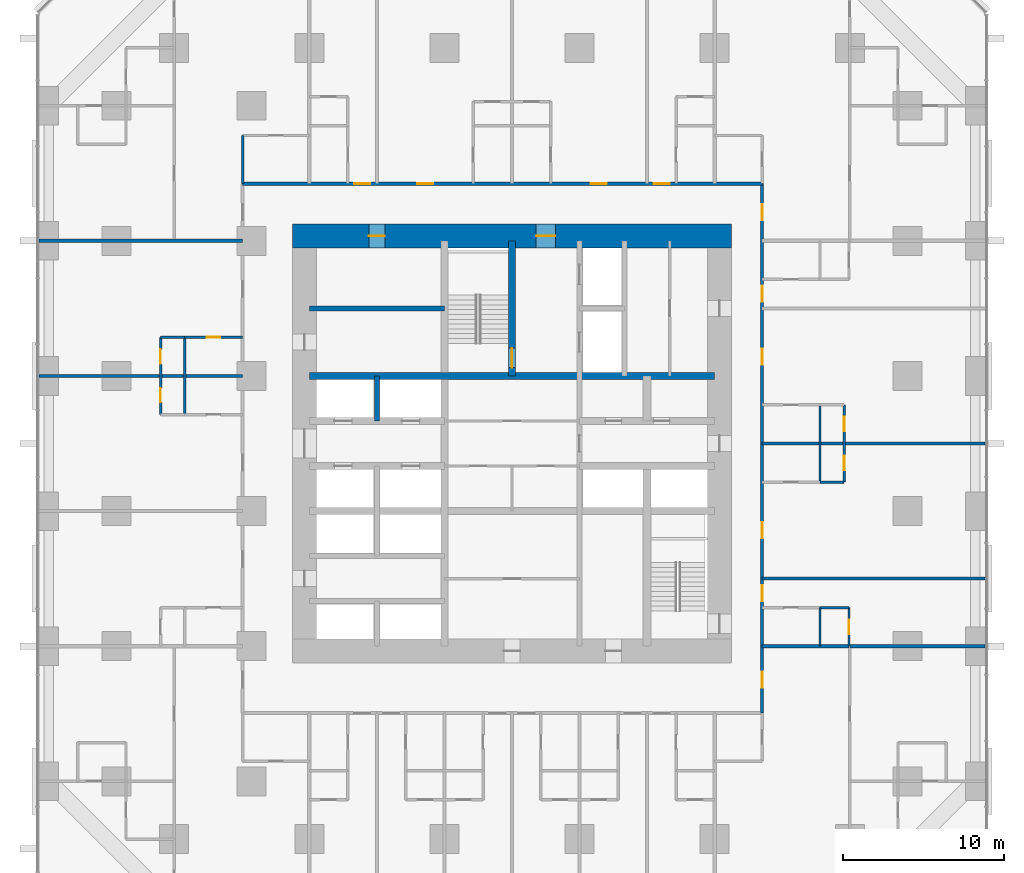
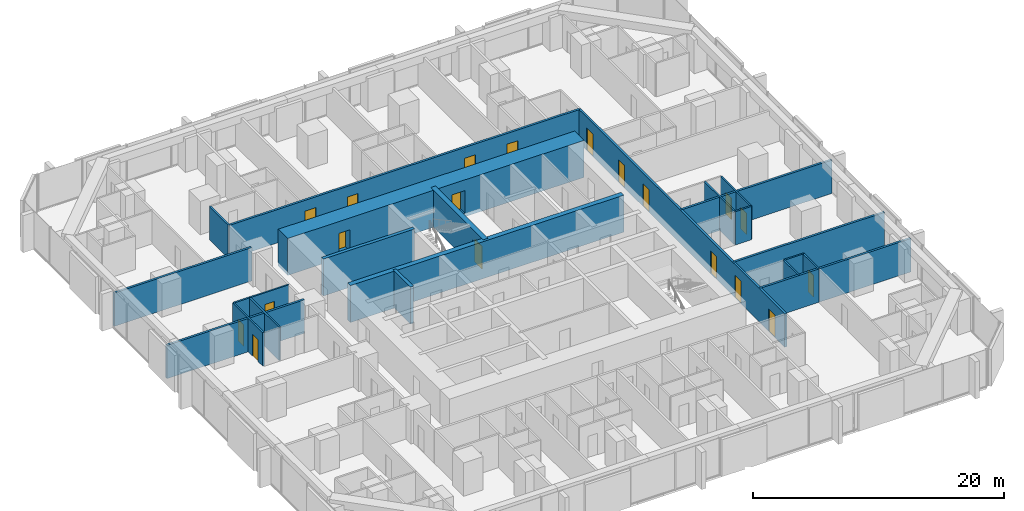
# One storey, part 14 of 17: 24 walls, 19 doors, 19 openings.
"""IFC4 building model written with IfcOpenShell, lengths in metres."""

from ifc_helpers import new_model, si_unit, direction, frame, frame_2d, origin, place, context, subcontext, project, spatial, rectangle, extrude, material, layer, layer_set, type_object, element, fill, save


model = new_model("IFC4")

# Units and contexts
model_context = context("Model", 3, precision=1e-05, world=origin(), true_north=direction((0.0, 1.0)))
body_context = subcontext(model_context, "Body", "Model", "MODEL_VIEW")
ifc_project = project(units=[si_unit("LENGTHUNIT", "METRE"), si_unit("AREAUNIT", "SQUARE_METRE"), si_unit("VOLUMEUNIT", "CUBIC_METRE"), si_unit("PLANEANGLEUNIT", "RADIAN"), si_unit("MASSUNIT", "GRAM", prefix="KILO")], contexts=[model_context])

# Site, building, storey
site_placement = place(None, origin())
site = spatial("IfcSite", under=ifc_project, at=site_placement, CompositionType="ELEMENT")
building_placement = place(site_placement, origin())
building = spatial("IfcBuilding", under=site, at=building_placement, Name="Dunama Terrace Hotel", CompositionType="ELEMENT")
storey_placement = place(building_placement, frame((0.0, 0.0, 70.199951171875)))
storey = spatial("IfcBuildingStorey", under=building, at=storey_placement, Name="L17", CompositionType="ELEMENT", Elevation=70.199951171875)

# Wall
ifc_material_1 = material(Name="Gypsum board partition", Category="masonry")
ifc_layer_1 = layer(ifc_material_1, 0.14990234375)
ifc_layer_set_1 = layer_set([ifc_layer_1], Name="Bathroom partition 150")
wall_type_1 = type_object("IfcWallType", Name="Bathroom partition 150", PredefinedType="PARTITIONING", material=ifc_layer_set_1)
wall_1_placement = place(storey_placement, frame((12.64990234375, 45.550048828125, 0.0), z_axis=(0.0, 0.0, 1.0), x_axis=(0.0, 1.0, 0.0)))
element("IfcWall", 1, at=wall_1_placement, inside=storey, type_object=wall_type_1, Name="Bathroom partition 150 L17", PredefinedType="PARTITIONING", context=body_context, shape_type="SweptSolid", body=[
    extrude(rectangle(XDim=3.0, YDim=0.14990234375, at=frame_2d((1.5, 0.0))), origin(), (0.0, 0.0, 1.0), 3.25),
])

# Wall, opening, door
wall_2_placement = place(storey_placement, frame((9.050048828125, 36.0, 0.0), z_axis=(0.0, 0.0, 1.0), x_axis=(1.0, 0.0, 0.0)))
wall_2 = element("IfcWall", 2, at=wall_2_placement, inside=storey, type_object=wall_type_1, Name="Bathroom partition 150 L17", PredefinedType="PARTITIONING", context=body_context, shape_type="SweptSolid", body=[
    extrude(rectangle(XDim=3.599853515625, YDim=0.14990234375, at=frame_2d((1.7998046875, 0.0))), origin(), (0.0, 0.0, 1.0), 3.25),
])
opening_1_placement = place(wall_2_placement, frame((1.375, 0.0, 0.0)))
opening_1 = element("IfcOpeningElement", 3, at=opening_1_placement, cuts=wall_2, Name="Opening L17-19-058", PredefinedType="OPENING", context=body_context, shape_type="SweptSolid", body=[
    extrude(rectangle(XDim=0.85009765625, YDim=2.10009765625, at=frame_2d((0.425048828125, 1.050048828125))), frame((0.0, 0.0849609375, 0.0), z_axis=(0.0, -1.0, 0.0), x_axis=(1.0, 0.0, 0.0)), (0.0, 0.0, 1.0), 0.169921875),
])
ifc_material_2 = material(Name="Timber door with steel frame", Category="steel")
door_type_1 = type_object("IfcDoorType", Name="Bathroom door 850", OperationType="SINGLE_SWING_LEFT", PredefinedType="DOOR", material=ifc_material_2)
door_1_placement = place(opening_1_placement, frame((0.85009765625, 0.0, 0.0), z_axis=(0.0, 0.0, 1.0), x_axis=(-1.0, 0.0, 0.0)))
door_1 = element("IfcDoor", 4, at=door_1_placement, inside=storey, type_object=door_type_1, Name="Door to en-suite bathroom L17-19-058, type D2", OperationType="SINGLE_SWING_LEFT", OverallHeight=2.10009765625, OverallWidth=0.85009765625, PredefinedType="DOOR", context=body_context, shape_type="SweptSolid", body=[
    extrude(rectangle(XDim=0.85009765625, YDim=2.10009765625, at=frame_2d((0.425048828125, 1.050048828125))), frame((0.0, 0.025146484375, 0.0), z_axis=(0.0, -1.0, 0.0), x_axis=(1.0, 0.0, 0.0)), (0.0, 0.0, 1.0), 0.050048828125),
])
fill(opening_1, door_1)

# Walls
ifc_material_3 = material(Name="Concrete C50/60", Category="concrete")
ifc_layer_2 = layer(ifc_material_3, 0.300048828125)
ifc_layer_set_2 = layer_set([ifc_layer_2], Name="Core inner wall 300")
wall_type_2 = type_object("IfcWallType", Name="Core inner wall 300", PredefinedType="SHEAR", material=ifc_layer_set_2)
wall_3_placement = place(storey_placement, frame((21.0, 30.800048828125, -0.349853515625), z_axis=(0.0, 0.0, 1.0), x_axis=(0.0, 1.0, 0.0)))
element("IfcWall", 5, at=wall_3_placement, inside=storey, type_object=wall_type_2, Name="Core inner wall 300 L17", PredefinedType="SHEAR", context=body_context, shape_type="SweptSolid", body=[
    extrude(rectangle(XDim=2.800048828125, YDim=0.300048828125, at=frame_2d((1.39990234375, 0.0))), origin(), (0.0, 0.0, 1.0), 3.599853515625),
])
wall_4_placement = place(storey_placement, frame((16.800048828125, 37.800048828125, -0.349853515625), z_axis=(0.0, 0.0, 1.0), x_axis=(1.0, 0.0, 0.0)))
element("IfcWall", 6, at=wall_4_placement, inside=storey, type_object=wall_type_2, Name="Core inner wall 300 L17", PredefinedType="SHEAR", context=body_context, shape_type="SweptSolid", body=[
    extrude(rectangle(XDim=8.39990234375, YDim=0.300048828125, at=frame_2d((4.199951171875, 0.0))), origin(), (0.0, 0.0, 1.0), 3.599853515625),
])

# Wall, opening, door
ifc_material_4 = material(Name="Concrete C50/60", Category="concrete")
ifc_layer_3 = layer(ifc_material_4, 0.449951171875)
ifc_layer_set_3 = layer_set([ifc_layer_3], Name="Core inner wall 450")
wall_type_3 = type_object("IfcWallType", Name="Core inner wall 450", PredefinedType="SHEAR", material=ifc_layer_set_3)
wall_5_placement = place(storey_placement, frame((29.39990234375, 33.60009765625, -0.349853515625), z_axis=(0.0, 0.0, 1.0), x_axis=(0.0, 1.0, 0.0)))
wall_5 = element("IfcWall", 7, at=wall_5_placement, inside=storey, type_object=wall_type_3, Name="Core inner wall 450 L17", PredefinedType="SHEAR", context=body_context, shape_type="SweptSolid", body=[
    extrude(rectangle(XDim=8.39990234375, YDim=0.449951171875, at=frame_2d((4.199951171875, 0.0))), origin(), (0.0, 0.0, 1.0), 3.599853515625),
])
opening_2_placement = place(wall_5_placement, frame((0.52490234375, 0.0, 0.35009765625)))
opening_2 = element("IfcOpeningElement", 8, at=opening_2_placement, cuts=wall_5, Name="Opening L17-19-001", PredefinedType="OPENING", context=body_context, shape_type="SweptSolid", body=[
    extrude(rectangle(XDim=1.199951171875, YDim=2.199951171875, at=frame_2d((0.60009765625, 1.10009765625))), frame((0.0, 0.23486328125, 0.0), z_axis=(0.0, -1.0, 0.0), x_axis=(1.0, 0.0, 0.0)), (0.0, 0.0, 1.0), 0.469970703125),
])
ifc_material_5 = material(Name="Timber door with steel frame", Category="steel")
door_type_2 = type_object("IfcDoorType", Name="Stair door 1200", OperationType="SINGLE_SWING_LEFT", PredefinedType="DOOR", material=ifc_material_5)
door_2_placement = place(opening_2_placement, origin())
door_2 = element("IfcDoor", 9, at=door_2_placement, inside=storey, type_object=door_type_2, Name="Stair door ST1 L17-19-001, type D5", OperationType="SINGLE_SWING_LEFT", OverallHeight=2.199951171875, OverallWidth=1.199951171875, PredefinedType="DOOR", context=body_context, shape_type="SweptSolid", body=[
    extrude(rectangle(XDim=1.199951171875, YDim=2.199951171875, at=frame_2d((0.60009765625, 1.10009765625))), frame((0.0, 0.02490234375, 0.0), z_axis=(0.0, -1.0, 0.0), x_axis=(1.0, 0.0, 0.0)), (0.0, 0.0, 1.0), 0.050048828125),
])
fill(opening_2, door_2)

# Wall
wall_6_placement = place(storey_placement, frame((16.800048828125, 33.60009765625, -0.349853515625), z_axis=(0.0, 0.0, 1.0), x_axis=(1.0, 0.0, 0.0)))
element("IfcWall", 10, at=wall_6_placement, inside=storey, type_object=wall_type_3, Name="Core inner wall 450 L17", PredefinedType="SHEAR", context=body_context, shape_type="SweptSolid", body=[
    extrude(rectangle(XDim=25.199951171875, YDim=0.449951171875, at=frame_2d((12.60009765625, 0.0))), origin(), (0.0, 0.0, 1.0), 3.599853515625),
])

# Wall, openings, doors
ifc_material_6 = material(Name="Concrete C60/75", Category="concrete")
ifc_layer_4 = layer(ifc_material_6, 1.5)
ifc_layer_set_4 = layer_set([ifc_layer_4], Name="Core wall 1500")
wall_type_4 = type_object("IfcWallType", Name="Core wall 1500", PredefinedType="SHEAR", material=ifc_layer_set_4)
wall_7_placement = place(storey_placement, frame((43.050048828125, 42.300048828125, -0.349853515625), z_axis=(0.0, 0.0, 1.0), x_axis=(-1.0, 0.0, 0.0)))
wall_7 = element("IfcWall", 11, at=wall_7_placement, inside=storey, type_object=wall_type_4, Name="Core wall north L17", PredefinedType="SHEAR", context=body_context, shape_type="SweptSolid", body=[
    extrude(rectangle(XDim=27.300048828125, YDim=1.5, at=frame_2d((13.64990234375, 0.0))), origin(), (0.0, 0.0, 1.0), 3.599853515625),
])
opening_3_placement = place(wall_7_placement, frame((21.550048828125, 0.0, 0.35009765625)))
opening_3 = element("IfcOpeningElement", 12, at=opening_3_placement, cuts=wall_7, Name="Opening L17-19-087", PredefinedType="OPENING", context=body_context, shape_type="SweptSolid", body=[
    extrude(rectangle(XDim=1.0, YDim=2.10009765625, at=frame_2d((0.5, 1.050048828125))), frame((0.0, 0.760009765625, 0.0), z_axis=(0.0, -1.0, 0.0), x_axis=(1.0, 0.0, 0.0)), (0.0, 0.0, 1.0), 1.52001953125),
])
opening_4_placement = place(wall_7_placement, frame((10.949951171875, 0.0, 0.35009765625)))
opening_4 = element("IfcOpeningElement", 13, at=opening_4_placement, cuts=wall_7, Name="Opening L17-19-095", PredefinedType="OPENING", context=body_context, shape_type="SweptSolid", body=[
    extrude(rectangle(XDim=1.199951171875, YDim=2.199951171875, at=frame_2d((0.60009765625, 1.10009765625))), frame((0.0, 0.760009765625, 0.0), z_axis=(0.0, -1.0, 0.0), x_axis=(1.0, 0.0, 0.0)), (0.0, 0.0, 1.0), 1.52001953125),
])
ifc_material_7 = material(Name="Timber door with steel frame", Category="steel")
door_type_3 = type_object("IfcDoorType", Name="Firefighting lobby door 1200", OperationType="SINGLE_SWING_LEFT", PredefinedType="DOOR", material=ifc_material_7)
door_3_placement = place(opening_4_placement, origin())
door_3 = element("IfcDoor", 14, at=door_3_placement, inside=storey, type_object=door_type_3, Name="Door to firefighting lobby L17-19-095, type D4", OperationType="SINGLE_SWING_RIGHT", OverallHeight=2.199951171875, OverallWidth=1.199951171875, PredefinedType="DOOR", context=body_context, shape_type="SweptSolid", body=[
    extrude(rectangle(XDim=1.199951171875, YDim=2.199951171875, at=frame_2d((0.60009765625, 1.10009765625))), frame((0.0, 0.02490234375, 0.0), z_axis=(0.0, -1.0, 0.0), x_axis=(1.0, 0.0, 0.0)), (0.0, 0.0, 1.0), 0.050048828125),
])
fill(opening_4, door_3)
ifc_material_8 = material(Name="Timber door with steel frame", Category="steel")
door_type_4 = type_object("IfcDoorType", Name="Service door 1000", OperationType="SINGLE_SWING_LEFT", PredefinedType="DOOR", material=ifc_material_8)
door_4_placement = place(opening_3_placement, origin())
door_4 = element("IfcDoor", 15, at=door_4_placement, inside=storey, type_object=door_type_4, Name="Door to communications and riser room L17-19-087, type D7", OperationType="SINGLE_SWING_LEFT", OverallHeight=2.10009765625, OverallWidth=1.0, PredefinedType="DOOR", context=body_context, shape_type="SweptSolid", body=[
    extrude(rectangle(XDim=1.0, YDim=2.10009765625, at=frame_2d((0.5, 1.050048828125))), frame((0.0, 0.02490234375, 0.0), z_axis=(0.0, -1.0, 0.0), x_axis=(1.0, 0.0, 0.0)), (0.0, 0.0, 1.0), 0.050048828125),
])
fill(opening_3, door_4)

ifc_material_9 = material(Name="Concrete blockwork", Category="masonry")
ifc_layer_5 = layer(ifc_material_9, 0.199951171875)
ifc_layer_set_5 = layer_set([ifc_layer_5], Name="Corridor partition 200")
wall_type_5 = type_object("IfcWallType", Name="Corridor partition 200", PredefinedType="PARTITIONING", material=ifc_layer_set_5)
wall_8_placement = place(storey_placement, frame((12.64990234375, 45.550048828125, 0.0), z_axis=(0.0, 0.0, 1.0), x_axis=(1.0, 0.0, 0.0)))
wall_8 = element("IfcWall", 16, at=wall_8_placement, inside=storey, type_object=wall_type_5, Name="Corridor partition 200 L17", PredefinedType="PARTITIONING", context=body_context, shape_type="SweptSolid", body=[
    extrude(rectangle(XDim=32.300048828125, YDim=0.199951171875, at=frame_2d((16.14990234375, 0.0))), origin(), (0.0, 0.0, 1.0), 3.25),
])
opening_5_placement = place(wall_8_placement, frame((6.949951171875, 0.0, 0.0)))
opening_5 = element("IfcOpeningElement", 17, at=opening_5_placement, cuts=wall_8, Name="Opening L17-19-039", PredefinedType="OPENING", context=body_context, shape_type="SweptSolid", body=[
    extrude(rectangle(XDim=1.0, YDim=2.199951171875, at=frame_2d((0.5, 1.10009765625))), frame((0.0, 0.10986328125, 0.0), z_axis=(0.0, -1.0, 0.0), x_axis=(1.0, 0.0, 0.0)), (0.0, 0.0, 1.0), 0.219970703125),
])
opening_6_placement = place(wall_8_placement, frame((10.85009765625, 0.0, 0.0)))
opening_6 = element("IfcOpeningElement", 18, at=opening_6_placement, cuts=wall_8, Name="Opening L17-19-042", PredefinedType="OPENING", context=body_context, shape_type="SweptSolid", body=[
    extrude(rectangle(XDim=1.0, YDim=2.199951171875, at=frame_2d((0.5, 1.10009765625))), frame((0.0, 0.10986328125, 0.0), z_axis=(0.0, -1.0, 0.0), x_axis=(1.0, 0.0, 0.0)), (0.0, 0.0, 1.0), 0.219970703125),
])
opening_7_placement = place(wall_8_placement, frame((21.64990234375, 0.0, 0.0)))
opening_7 = element("IfcOpeningElement", 19, at=opening_7_placement, cuts=wall_8, Name="Opening L17-19-045", PredefinedType="OPENING", context=body_context, shape_type="SweptSolid", body=[
    extrude(rectangle(XDim=1.0, YDim=2.199951171875, at=frame_2d((0.5, 1.10009765625))), frame((0.0, 0.10986328125, 0.0), z_axis=(0.0, -1.0, 0.0), x_axis=(1.0, 0.0, 0.0)), (0.0, 0.0, 1.0), 0.219970703125),
])
opening_8_placement = place(wall_8_placement, frame((25.550048828125, 0.0, 0.0)))
opening_8 = element("IfcOpeningElement", 20, at=opening_8_placement, cuts=wall_8, Name="Opening L17-19-048", PredefinedType="OPENING", context=body_context, shape_type="SweptSolid", body=[
    extrude(rectangle(XDim=1.0, YDim=2.199951171875, at=frame_2d((0.5, 1.10009765625))), frame((0.0, 0.10986328125, 0.0), z_axis=(0.0, -1.0, 0.0), x_axis=(1.0, 0.0, 0.0)), (0.0, 0.0, 1.0), 0.219970703125),
])
ifc_material_10 = material(Name="Timber door with steel frame", Category="steel")
door_type_5 = type_object("IfcDoorType", Name="Guest room door 1000", OperationType="SINGLE_SWING_LEFT", PredefinedType="DOOR", material=ifc_material_10)
door_5_placement = place(opening_5_placement, origin())
door_5 = element("IfcDoor", 21, at=door_5_placement, inside=storey, type_object=door_type_5, Name="Door to deluxe room L17-19-039, type D1", OperationType="SINGLE_SWING_RIGHT", OverallHeight=2.199951171875, OverallWidth=1.0, PredefinedType="DOOR", context=body_context, shape_type="SweptSolid", body=[
    extrude(rectangle(XDim=1.0, YDim=2.199951171875, at=frame_2d((0.5, 1.10009765625))), frame((0.0, 0.02490234375, 0.0), z_axis=(0.0, -1.0, 0.0), x_axis=(1.0, 0.0, 0.0)), (0.0, 0.0, 1.0), 0.050048828125),
])
fill(opening_5, door_5)
door_6_placement = place(opening_6_placement, origin())
door_6 = element("IfcDoor", 22, at=door_6_placement, inside=storey, type_object=door_type_5, Name="Door to junior suite L17-19-042, type D1", OperationType="SINGLE_SWING_LEFT", OverallHeight=2.199951171875, OverallWidth=1.0, PredefinedType="DOOR", context=body_context, shape_type="SweptSolid", body=[
    extrude(rectangle(XDim=1.0, YDim=2.199951171875, at=frame_2d((0.5, 1.10009765625))), frame((0.0, 0.02490234375, 0.0), z_axis=(0.0, -1.0, 0.0), x_axis=(1.0, 0.0, 0.0)), (0.0, 0.0, 1.0), 0.050048828125),
])
fill(opening_6, door_6)
door_7_placement = place(opening_7_placement, origin())
door_7 = element("IfcDoor", 23, at=door_7_placement, inside=storey, type_object=door_type_5, Name="Door to junior suite L17-19-045, type D1", OperationType="SINGLE_SWING_RIGHT", OverallHeight=2.199951171875, OverallWidth=1.0, PredefinedType="DOOR", context=body_context, shape_type="SweptSolid", body=[
    extrude(rectangle(XDim=1.0, YDim=2.199951171875, at=frame_2d((0.5, 1.10009765625))), frame((0.0, 0.02490234375, 0.0), z_axis=(0.0, -1.0, 0.0), x_axis=(1.0, 0.0, 0.0)), (0.0, 0.0, 1.0), 0.050048828125),
])
fill(opening_7, door_7)
door_8_placement = place(opening_8_placement, origin())
door_8 = element("IfcDoor", 24, at=door_8_placement, inside=storey, type_object=door_type_5, Name="Door to deluxe room L17-19-048, type D1", OperationType="SINGLE_SWING_LEFT", OverallHeight=2.199951171875, OverallWidth=1.0, PredefinedType="DOOR", context=body_context, shape_type="SweptSolid", body=[
    extrude(rectangle(XDim=1.0, YDim=2.199951171875, at=frame_2d((0.5, 1.10009765625))), frame((0.0, 0.02490234375, 0.0), z_axis=(0.0, -1.0, 0.0), x_axis=(1.0, 0.0, 0.0)), (0.0, 0.0, 1.0), 0.050048828125),
])
fill(opening_8, door_8)

wall_9_placement = place(storey_placement, frame((44.949951171875, 45.550048828125, 0.0), z_axis=(0.0, 0.0, 1.0), x_axis=(0.0, -1.0, 0.0)))
wall_9 = element("IfcWall", 25, at=wall_9_placement, inside=storey, type_object=wall_type_5, Name="Corridor partition 200 L17", PredefinedType="PARTITIONING", context=body_context, shape_type="SweptSolid", body=[
    extrude(rectangle(XDim=32.900146484375, YDim=0.199951171875, at=frame_2d((16.4501953125, 0.0))), origin(), (0.0, 0.0, 1.0), 3.25),
])
opening_9_placement = place(wall_9_placement, frame((24.949951171875, 0.0, 0.0)))
opening_9 = element("IfcOpeningElement", 26, at=opening_9_placement, cuts=wall_9, Name="Opening L17-19-027", PredefinedType="OPENING", context=body_context, shape_type="SweptSolid", body=[
    extrude(rectangle(XDim=1.0, YDim=2.199951171875, at=frame_2d((0.5, 1.10009765625))), frame((0.0, 0.10986328125, 0.0), z_axis=(0.0, -1.0, 0.0), x_axis=(1.0, 0.0, 0.0)), (0.0, 0.0, 1.0), 0.219970703125),
])
opening_10_placement = place(wall_9_placement, frame((21.050048828125, 0.0, 0.0)))
opening_10 = element("IfcOpeningElement", 27, at=opening_10_placement, cuts=wall_9, Name="Opening L17-19-030", PredefinedType="OPENING", context=body_context, shape_type="SweptSolid", body=[
    extrude(rectangle(XDim=1.0, YDim=2.199951171875, at=frame_2d((0.5, 1.10009765625))), frame((0.0, 0.10986328125, 0.0), z_axis=(0.0, -1.0, 0.0), x_axis=(1.0, 0.0, 0.0)), (0.0, 0.0, 1.0), 0.219970703125),
])
opening_11_placement = place(wall_9_placement, frame((10.25, 0.0, 0.0)))
opening_11 = element("IfcOpeningElement", 28, at=opening_11_placement, cuts=wall_9, Name="Opening L17-19-033", PredefinedType="OPENING", context=body_context, shape_type="SweptSolid", body=[
    extrude(rectangle(XDim=1.0, YDim=2.199951171875, at=frame_2d((0.5, 1.10009765625))), frame((0.0, 0.10986328125, 0.0), z_axis=(0.0, -1.0, 0.0), x_axis=(1.0, 0.0, 0.0)), (0.0, 0.0, 1.0), 0.219970703125),
])
opening_12_placement = place(wall_9_placement, frame((6.35009765625, 0.0, 0.0)))
opening_12 = element("IfcOpeningElement", 29, at=opening_12_placement, cuts=wall_9, Name="Opening L17-19-036", PredefinedType="OPENING", context=body_context, shape_type="SweptSolid", body=[
    extrude(rectangle(XDim=1.0, YDim=2.199951171875, at=frame_2d((0.5, 1.10009765625))), frame((0.0, 0.10986328125, 0.0), z_axis=(0.0, -1.0, 0.0), x_axis=(1.0, 0.0, 0.0)), (0.0, 0.0, 1.0), 0.219970703125),
])
opening_13_placement = place(wall_9_placement, frame((30.324951171875, 0.0, 0.0)))
opening_13 = element("IfcOpeningElement", 30, at=opening_13_placement, cuts=wall_9, Name="Opening L17-19-066", PredefinedType="OPENING", context=body_context, shape_type="SweptSolid", body=[
    extrude(rectangle(XDim=1.0, YDim=2.199951171875, at=frame_2d((0.5, 1.10009765625))), frame((0.0, 0.10986328125, 0.0), z_axis=(0.0, -1.0, 0.0), x_axis=(1.0, 0.0, 0.0)), (0.0, 0.0, 1.0), 0.219970703125),
])
opening_14_placement = place(wall_9_placement, frame((1.27490234375, 0.0, 0.0)))
opening_14 = element("IfcOpeningElement", 31, at=opening_14_placement, cuts=wall_9, Name="Opening L17-19-072", PredefinedType="OPENING", context=body_context, shape_type="SweptSolid", body=[
    extrude(rectangle(XDim=1.0, YDim=2.199951171875, at=frame_2d((0.5, 1.10009765625))), frame((0.0, 0.10986328125, 0.0), z_axis=(0.0, -1.0, 0.0), x_axis=(1.0, 0.0, 0.0)), (0.0, 0.0, 1.0), 0.219970703125),
])
door_9_placement = place(opening_9_placement, origin())
door_9 = element("IfcDoor", 32, at=door_9_placement, inside=storey, type_object=door_type_5, Name="Door to deluxe room L17-19-027, type D1", OperationType="SINGLE_SWING_LEFT", OverallHeight=2.199951171875, OverallWidth=1.0, PredefinedType="DOOR", context=body_context, shape_type="SweptSolid", body=[
    extrude(rectangle(XDim=1.0, YDim=2.199951171875, at=frame_2d((0.5, 1.10009765625))), frame((0.0, 0.02490234375, 0.0), z_axis=(0.0, -1.0, 0.0), x_axis=(1.0, 0.0, 0.0)), (0.0, 0.0, 1.0), 0.050048828125),
])
fill(opening_9, door_9)
door_10_placement = place(opening_10_placement, origin())
door_10 = element("IfcDoor", 33, at=door_10_placement, inside=storey, type_object=door_type_5, Name="Door to junior suite L17-19-030, type D1", OperationType="SINGLE_SWING_LEFT", OverallHeight=2.199951171875, OverallWidth=1.0, PredefinedType="DOOR", context=body_context, shape_type="SweptSolid", body=[
    extrude(rectangle(XDim=1.0, YDim=2.199951171875, at=frame_2d((0.5, 1.10009765625))), frame((0.0, 0.02490234375, 0.0), z_axis=(0.0, -1.0, 0.0), x_axis=(1.0, 0.0, 0.0)), (0.0, 0.0, 1.0), 0.050048828125),
])
fill(opening_10, door_10)
door_11_placement = place(opening_11_placement, origin())
door_11 = element("IfcDoor", 34, at=door_11_placement, inside=storey, type_object=door_type_5, Name="Door to junior suite L17-19-033, type D1", OperationType="SINGLE_SWING_LEFT", OverallHeight=2.199951171875, OverallWidth=1.0, PredefinedType="DOOR", context=body_context, shape_type="SweptSolid", body=[
    extrude(rectangle(XDim=1.0, YDim=2.199951171875, at=frame_2d((0.5, 1.10009765625))), frame((0.0, 0.02490234375, 0.0), z_axis=(0.0, -1.0, 0.0), x_axis=(1.0, 0.0, 0.0)), (0.0, 0.0, 1.0), 0.050048828125),
])
fill(opening_11, door_11)
door_12_placement = place(opening_12_placement, origin())
door_12 = element("IfcDoor", 35, at=door_12_placement, inside=storey, type_object=door_type_5, Name="Door to deluxe room L17-19-036, type D1", OperationType="SINGLE_SWING_RIGHT", OverallHeight=2.199951171875, OverallWidth=1.0, PredefinedType="DOOR", context=body_context, shape_type="SweptSolid", body=[
    extrude(rectangle(XDim=1.0, YDim=2.199951171875, at=frame_2d((0.5, 1.10009765625))), frame((0.0, 0.02490234375, 0.0), z_axis=(0.0, -1.0, 0.0), x_axis=(1.0, 0.0, 0.0)), (0.0, 0.0, 1.0), 0.050048828125),
])
fill(opening_12, door_12)
door_13_placement = place(opening_13_placement, origin())
door_13 = element("IfcDoor", 36, at=door_13_placement, inside=storey, type_object=door_type_5, Name="Door to corner suite living room L17-19-066, type D1", OperationType="SINGLE_SWING_RIGHT", OverallHeight=2.199951171875, OverallWidth=1.0, PredefinedType="DOOR", context=body_context, shape_type="SweptSolid", body=[
    extrude(rectangle(XDim=1.0, YDim=2.199951171875, at=frame_2d((0.5, 1.10009765625))), frame((0.0, 0.02490234375, 0.0), z_axis=(0.0, -1.0, 0.0), x_axis=(1.0, 0.0, 0.0)), (0.0, 0.0, 1.0), 0.050048828125),
])
fill(opening_13, door_13)
door_14_placement = place(opening_14_placement, origin())
door_14 = element("IfcDoor", 37, at=door_14_placement, inside=storey, type_object=door_type_5, Name="Door to corner suite living room L17-19-072, type D1", OperationType="SINGLE_SWING_LEFT", OverallHeight=2.199951171875, OverallWidth=1.0, PredefinedType="DOOR", context=body_context, shape_type="SweptSolid", body=[
    extrude(rectangle(XDim=1.0, YDim=2.199951171875, at=frame_2d((0.5, 1.10009765625))), frame((0.0, 0.02490234375, 0.0), z_axis=(0.0, -1.0, 0.0), x_axis=(1.0, 0.0, 0.0)), (0.0, 0.0, 1.0), 0.050048828125),
])
fill(opening_14, door_14)

# Walls
ifc_material_11 = material(Name="Concrete blockwork", Category="masonry")
ifc_layer_6 = layer(ifc_material_11, 0.199951171875)
ifc_layer_set_6 = layer_set([ifc_layer_6], Name="Party wall 200")
wall_type_6 = type_object("IfcWallType", Name="Party wall 200", PredefinedType="PARTITIONING", material=ifc_layer_set_6)
wall_10_placement = place(storey_placement, frame((44.949951171875, 16.800048828125, 0.0), z_axis=(0.0, 0.0, 1.0), x_axis=(1.0, 0.0, 0.0)))
element("IfcWall", 38, at=wall_10_placement, inside=storey, type_object=wall_type_6, Name="Party wall 200 L17", PredefinedType="PARTITIONING", context=body_context, shape_type="SweptSolid", body=[
    extrude(rectangle(XDim=5.400146484375, YDim=0.199951171875, at=frame_2d((2.7001953125, 0.0))), origin(), (0.0, 0.0, 1.0), 3.25),
])
wall_11_placement = place(storey_placement, frame((50.39990234375, 16.800048828125, 0.0), z_axis=(0.0, 0.0, 1.0), x_axis=(1.0, 0.0, 0.0)))
element("IfcWall", 39, at=wall_11_placement, inside=storey, type_object=wall_type_6, Name="Party wall 200 L17", PredefinedType="PARTITIONING", context=body_context, shape_type="SweptSolid", body=[
    extrude(rectangle(XDim=8.408203125, YDim=0.199951171875, at=frame_2d((4.2041015625, 0.0))), origin(), (0.0, 0.0, 1.0), 3.25),
])
for number, where, z_axis, x_axis, name in (
    (40, (44.949951171875, 21.0, 0.0), (0.0, 0.0, 1.0), (1.0, 0.0, 0.0), "Party wall 200 L17"),
    (41, (44.949951171875, 29.39990234375, 0.0), (0.0, 0.0, 1.0), (1.0, 0.0, 0.0), "Party wall 200 L17"),
):
    element("IfcWall", number, at=place(storey_placement, frame(where, z_axis=z_axis, x_axis=x_axis)), inside=storey, type_object=wall_type_6, Name=name, PredefinedType="PARTITIONING", context=body_context, shape_type="SweptSolid", body=[
        extrude(rectangle(XDim=13.858154296875, YDim=0.199951171875, at=frame_2d((6.92919921875, 0.0))), origin(), (0.0, 0.0, 1.0), 3.25),
    ])
for number, where, z_axis, x_axis, name in (
    (42, (-0.008056640625, 33.60009765625, 0.0), (0.0, 0.0, 1.0), (1.0, 0.0, 0.0), "Party wall 200 L17"),
    (43, (-0.008056640625, 42.0, 0.0), (0.0, 0.0, 1.0), (1.0, 0.0, 0.0), "Party wall 200 L17"),
):
    element("IfcWall", number, at=place(storey_placement, frame(where, z_axis=z_axis, x_axis=x_axis)), inside=storey, type_object=wall_type_6, Name=name, PredefinedType="PARTITIONING", context=body_context, shape_type="SweptSolid", body=[
        extrude(rectangle(XDim=12.657958984375, YDim=0.199951171875, at=frame_2d((6.3291015625, 0.0))), origin(), (0.0, 0.0, 1.0), 3.25),
    ])

# Wall, openings, doors
ifc_material_12 = material(Name="Gypsum board partition", Category="masonry")
ifc_layer_7 = layer(ifc_material_12, 0.14990234375)
ifc_layer_set_7 = layer_set([ifc_layer_7], Name="Room partition 150")
wall_type_7 = type_object("IfcWallType", Name="Room partition 150", PredefinedType="PARTITIONING", material=ifc_layer_set_7)
wall_12_placement = place(storey_placement, frame((7.550048828125, 31.199951171875, 0.0), z_axis=(0.0, 0.0, 1.0), x_axis=(0.0, 1.0, 0.0)))
wall_12 = element("IfcWall", 44, at=wall_12_placement, inside=storey, type_object=wall_type_7, Name="Room partition 150 L17", PredefinedType="PARTITIONING", context=body_context, shape_type="SweptSolid", body=[
    extrude(rectangle(XDim=4.800048828125, YDim=0.14990234375, at=frame_2d((2.39990234375, 0.0))), origin(), (0.0, 0.0, 1.0), 3.25),
])
opening_15_placement = place(wall_12_placement, frame((0.75, 0.0, 0.0)))
opening_15 = element("IfcOpeningElement", 45, at=opening_15_placement, cuts=wall_12, Name="Opening L17-19-056", PredefinedType="OPENING", context=body_context, shape_type="SweptSolid", body=[
    extrude(rectangle(XDim=0.89990234375, YDim=2.10009765625, at=frame_2d((0.449951171875, 1.050048828125))), frame((0.0, 0.0849609375, 0.0), z_axis=(0.0, -1.0, 0.0), x_axis=(1.0, 0.0, 0.0)), (0.0, 0.0, 1.0), 0.169921875),
])
opening_16_placement = place(wall_12_placement, frame((3.14990234375, 0.0, 0.0)))
opening_16 = element("IfcOpeningElement", 46, at=opening_16_placement, cuts=wall_12, Name="Opening L17-19-059", PredefinedType="OPENING", context=body_context, shape_type="SweptSolid", body=[
    extrude(rectangle(XDim=0.89990234375, YDim=2.10009765625, at=frame_2d((0.449951171875, 1.050048828125))), frame((0.0, 0.0849609375, 0.0), z_axis=(0.0, -1.0, 0.0), x_axis=(1.0, 0.0, 0.0)), (0.0, 0.0, 1.0), 0.169921875),
])
ifc_material_13 = material(Name="Timber door with steel frame", Category="steel")
door_type_6 = type_object("IfcDoorType", Name="Suite internal door 900", OperationType="SINGLE_SWING_LEFT", PredefinedType="DOOR", material=ifc_material_13)
door_15_placement = place(opening_15_placement, frame((0.89990234375, 0.0, 0.0), z_axis=(0.0, 0.0, 1.0), x_axis=(-1.0, 0.0, 0.0)))
door_15 = element("IfcDoor", 47, at=door_15_placement, inside=storey, type_object=door_type_6, Name="Door to walk-in wardrobe L17-19-056, type D16", OperationType="SINGLE_SWING_RIGHT", OverallHeight=2.10009765625, OverallWidth=0.89990234375, PredefinedType="DOOR", context=body_context, shape_type="SweptSolid", body=[
    extrude(rectangle(XDim=0.89990234375, YDim=2.10009765625, at=frame_2d((0.449951171875, 1.050048828125))), frame((0.0, 0.025146484375, 0.0), z_axis=(0.0, -1.0, 0.0), x_axis=(1.0, 0.0, 0.0)), (0.0, 0.0, 1.0), 0.050048828125),
])
fill(opening_15, door_15)
door_16_placement = place(opening_16_placement, frame((0.89990234375, 0.0, 0.0), z_axis=(0.0, 0.0, 1.0), x_axis=(-1.0, 0.0, 0.0)))
door_16 = element("IfcDoor", 48, at=door_16_placement, inside=storey, type_object=door_type_6, Name="Door to walk-in wardrobe L17-19-059, type D16", OperationType="SINGLE_SWING_RIGHT", OverallHeight=2.10009765625, OverallWidth=0.89990234375, PredefinedType="DOOR", context=body_context, shape_type="SweptSolid", body=[
    extrude(rectangle(XDim=0.89990234375, YDim=2.10009765625, at=frame_2d((0.449951171875, 1.050048828125))), frame((0.0, 0.025146484375, 0.0), z_axis=(0.0, -1.0, 0.0), x_axis=(1.0, 0.0, 0.0)), (0.0, 0.0, 1.0), 0.050048828125),
])
fill(opening_16, door_16)

# Walls
wall_13_placement = place(storey_placement, frame((9.050048828125, 31.199951171875, 0.0), z_axis=(0.0, 0.0, 1.0), x_axis=(0.0, 1.0, 0.0)))
element("IfcWall", 49, at=wall_13_placement, inside=storey, type_object=wall_type_7, Name="Room partition 150 L17", PredefinedType="PARTITIONING", context=body_context, shape_type="SweptSolid", body=[
    extrude(rectangle(XDim=4.800048828125, YDim=0.14990234375, at=frame_2d((2.39990234375, 0.0))), origin(), (0.0, 0.0, 1.0), 3.25),
])
wall_14_placement = place(storey_placement, frame((48.550048828125, 16.800048828125, 0.0), z_axis=(0.0, 0.0, 1.0), x_axis=(0.0, 1.0, 0.0)))
element("IfcWall", 50, at=wall_14_placement, inside=storey, type_object=wall_type_7, Name="Room partition 150 L17", PredefinedType="PARTITIONING", context=body_context, shape_type="SweptSolid", body=[
    extrude(rectangle(XDim=2.39990234375, YDim=0.14990234375, at=frame_2d((1.199951171875, 0.0))), origin(), (0.0, 0.0, 1.0), 3.25),
])
wall_15_placement = place(storey_placement, frame((48.550048828125, 27.0, 0.0), z_axis=(0.0, 0.0, 1.0), x_axis=(0.0, 1.0, 0.0)))
element("IfcWall", 51, at=wall_15_placement, inside=storey, type_object=wall_type_7, Name="Room partition 150 L17", PredefinedType="PARTITIONING", context=body_context, shape_type="SweptSolid", body=[
    extrude(rectangle(XDim=4.800048828125, YDim=0.14990234375, at=frame_2d((2.39990234375, 0.0))), origin(), (0.0, 0.0, 1.0), 3.25),
])

# Wall, openings, doors
wall_16_placement = place(storey_placement, frame((50.050048828125, 27.0, 0.0), z_axis=(0.0, 0.0, 1.0), x_axis=(0.0, 1.0, 0.0)))
wall_16 = element("IfcWall", 52, at=wall_16_placement, inside=storey, type_object=wall_type_7, Name="Room partition 150 L17", PredefinedType="PARTITIONING", context=body_context, shape_type="SweptSolid", body=[
    extrude(rectangle(XDim=4.800048828125, YDim=0.14990234375, at=frame_2d((2.39990234375, 0.0))), origin(), (0.0, 0.0, 1.0), 3.25),
])
opening_17_placement = place(wall_16_placement, frame((0.75, 0.0, 0.0)))
opening_17 = element("IfcOpeningElement", 53, at=opening_17_placement, cuts=wall_16, Name="Opening L17-19-032", PredefinedType="OPENING", context=body_context, shape_type="SweptSolid", body=[
    extrude(rectangle(XDim=0.89990234375, YDim=2.10009765625, at=frame_2d((0.449951171875, 1.050048828125))), frame((0.0, 0.0849609375, 0.0), z_axis=(0.0, -1.0, 0.0), x_axis=(1.0, 0.0, 0.0)), (0.0, 0.0, 1.0), 0.169921875),
])
opening_18_placement = place(wall_16_placement, frame((3.14990234375, 0.0, 0.0)))
opening_18 = element("IfcOpeningElement", 54, at=opening_18_placement, cuts=wall_16, Name="Opening L17-19-035", PredefinedType="OPENING", context=body_context, shape_type="SweptSolid", body=[
    extrude(rectangle(XDim=0.89990234375, YDim=2.10009765625, at=frame_2d((0.449951171875, 1.050048828125))), frame((0.0, 0.0849609375, 0.0), z_axis=(0.0, -1.0, 0.0), x_axis=(1.0, 0.0, 0.0)), (0.0, 0.0, 1.0), 0.169921875),
])
door_17_placement = place(opening_17_placement, origin())
door_17 = element("IfcDoor", 55, at=door_17_placement, inside=storey, type_object=door_type_6, Name="Door to walk-in wardrobe L17-19-032, type D16", OperationType="SINGLE_SWING_LEFT", OverallHeight=2.10009765625, OverallWidth=0.89990234375, PredefinedType="DOOR", context=body_context, shape_type="SweptSolid", body=[
    extrude(rectangle(XDim=0.89990234375, YDim=2.10009765625, at=frame_2d((0.449951171875, 1.050048828125))), frame((0.0, 0.02490234375, 0.0), z_axis=(0.0, -1.0, 0.0), x_axis=(1.0, 0.0, 0.0)), (0.0, 0.0, 1.0), 0.050048828125),
])
fill(opening_17, door_17)
door_18_placement = place(opening_18_placement, origin())
door_18 = element("IfcDoor", 56, at=door_18_placement, inside=storey, type_object=door_type_6, Name="Door to walk-in wardrobe L17-19-035, type D16", OperationType="SINGLE_SWING_LEFT", OverallHeight=2.10009765625, OverallWidth=0.89990234375, PredefinedType="DOOR", context=body_context, shape_type="SweptSolid", body=[
    extrude(rectangle(XDim=0.89990234375, YDim=2.10009765625, at=frame_2d((0.449951171875, 1.050048828125))), frame((0.0, 0.02490234375, 0.0), z_axis=(0.0, -1.0, 0.0), x_axis=(1.0, 0.0, 0.0)), (0.0, 0.0, 1.0), 0.050048828125),
])
fill(opening_18, door_18)

# Wall, opening, door
wall_17_placement = place(storey_placement, frame((50.35009765625, 16.800048828125, 0.0), z_axis=(0.0, 0.0, 1.0), x_axis=(0.0, 1.0, 0.0)))
wall_17 = element("IfcWall", 57, at=wall_17_placement, inside=storey, type_object=wall_type_7, Name="Room partition 150 L17", PredefinedType="PARTITIONING", context=body_context, shape_type="SweptSolid", body=[
    extrude(rectangle(XDim=2.39990234375, YDim=0.14990234375, at=frame_2d((1.199951171875, 0.0))), origin(), (0.0, 0.0, 1.0), 3.25),
])
opening_19_placement = place(wall_17_placement, frame((0.75, 0.0, 0.0)))
opening_19 = element("IfcOpeningElement", 58, at=opening_19_placement, cuts=wall_17, Name="Opening L17-19-029", PredefinedType="OPENING", context=body_context, shape_type="SweptSolid", body=[
    extrude(rectangle(XDim=0.89990234375, YDim=2.10009765625, at=frame_2d((0.449951171875, 1.050048828125))), frame((0.0, 0.0849609375, 0.0), z_axis=(0.0, -1.0, 0.0), x_axis=(1.0, 0.0, 0.0)), (0.0, 0.0, 1.0), 0.169921875),
])
door_19_placement = place(opening_19_placement, origin())
door_19 = element("IfcDoor", 59, at=door_19_placement, inside=storey, type_object=door_type_6, Name="Door to walk-in wardrobe L17-19-029, type D16", OperationType="SINGLE_SWING_LEFT", OverallHeight=2.10009765625, OverallWidth=0.89990234375, PredefinedType="DOOR", context=body_context, shape_type="SweptSolid", body=[
    extrude(rectangle(XDim=0.89990234375, YDim=2.10009765625, at=frame_2d((0.449951171875, 1.050048828125))), frame((0.0, 0.02490234375, 0.0), z_axis=(0.0, -1.0, 0.0), x_axis=(1.0, 0.0, 0.0)), (0.0, 0.0, 1.0), 0.050048828125),
])
fill(opening_19, door_19)

# Walls
wall_18_placement = place(storey_placement, frame((48.550048828125, 19.199951171875, 0.0), z_axis=(0.0, 0.0, 1.0), x_axis=(1.0, 0.0, 0.0)))
element("IfcWall", 60, at=wall_18_placement, inside=storey, type_object=wall_type_7, Name="Room partition 150 L17", PredefinedType="PARTITIONING", context=body_context, shape_type="SweptSolid", body=[
    extrude(rectangle(XDim=1.800048828125, YDim=0.14990234375, at=frame_2d((0.89990234375, 0.0))), origin(), (0.0, 0.0, 1.0), 3.25),
])
for number, where, z_axis, x_axis, name in (
    (61, (48.550048828125, 27.0, 0.0), (0.0, 0.0, 1.0), (1.0, 0.0, 0.0), "Room partition 150 L17"),
    (62, (7.550048828125, 36.0, 0.0), (0.0, 0.0, 1.0), (1.0, 0.0, 0.0), "Room partition 150 L17"),
):
    element("IfcWall", number, at=place(storey_placement, frame(where, z_axis=z_axis, x_axis=x_axis)), inside=storey, type_object=wall_type_7, Name=name, PredefinedType="PARTITIONING", context=body_context, shape_type="SweptSolid", body=[
        extrude(rectangle(XDim=1.5, YDim=0.14990234375, at=frame_2d((0.75, 0.0))), origin(), (0.0, 0.0, 1.0), 3.25),
    ])

save(model, "model.ifc")
